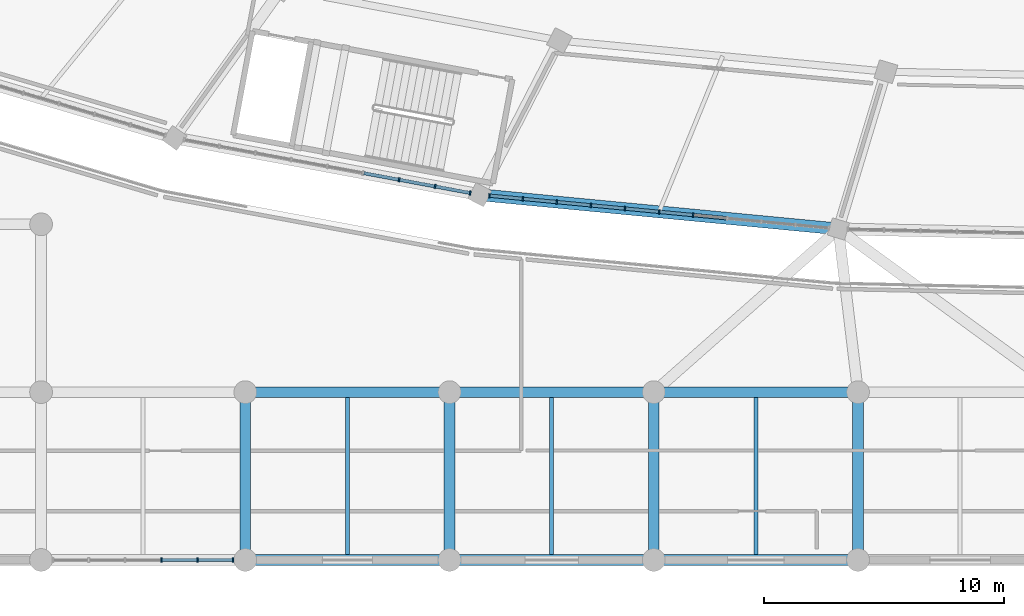
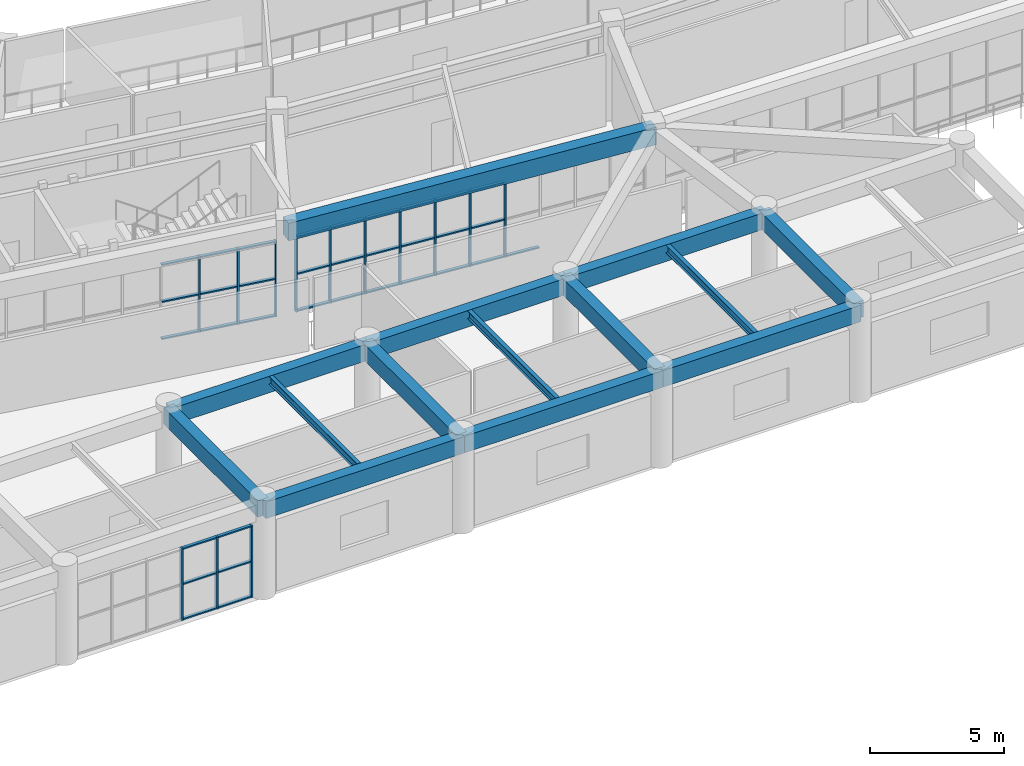
# One storey, part 21 of 141: 47 members, 14 beams, 3 elements without a shape of their own.
"""IFC4 building model written with IfcOpenShell, lengths in metres."""

from ifc_helpers import new_model, si_unit, direction, frame, origin, origin_2d, place, context, subcontext, project, spatial, rectangle, i_section, extrude, material, layer, layer_set, material_profile, profile_set, type_object, element, aggregate, save


model = new_model("IFC4")

# Units and contexts
model_context = context("Model", 3, precision=1e-05, world=origin(), true_north=direction((0.0, 1.0)))
body_context = subcontext(model_context, "Body", "Model", "MODEL_VIEW")
ifc_project = project(units=[si_unit("LENGTHUNIT", "METRE"), si_unit("AREAUNIT", "SQUARE_METRE"), si_unit("VOLUMEUNIT", "CUBIC_METRE"), si_unit("PLANEANGLEUNIT", "RADIAN"), si_unit("MASSUNIT", "GRAM", prefix="KILO")], contexts=[model_context])

# Site, building, storey
site_placement = place(None, origin())
site = spatial("IfcSite", under=ifc_project, at=site_placement, CompositionType="ELEMENT")
building_placement = place(site_placement, origin())
building = spatial("IfcBuilding", under=site, at=building_placement, Name="Mphavela Belvedere Stadium", CompositionType="ELEMENT")
storey_placement = place(building_placement, frame((0.0, 0.0, 14.699951171875)))
storey = spatial("IfcBuildingStorey", under=building, at=storey_placement, Name="L03", CompositionType="ELEMENT", Elevation=14.699951171875)

# Beams
ifc_material_1 = material(Name="Steel S355", Category="steel")
ifc_material_profile_1 = material_profile(ifc_material_1, i_section(OverallWidth=0.169921875, OverallDepth=0.360107421875, WebThickness=0.008056640625, FlangeThickness=0.0126953125, at=origin_2d()), Name="IPE 360")
ifc_profile_set_1 = profile_set([ifc_material_profile_1], Name="Steel S355")
beam_type_1 = type_object("IfcBeamType", Name="BM-JOIST-IPE360", PredefinedType="JOIST", material=ifc_profile_set_1)
for number, where, z_axis, x_axis, name in (
    (1, (72.407470703125, 0.22509765625, 4.06005859375), (0.0, 1.0, 0.0), (-1.0, 0.0, 0.0), "South Axial Triumphal Peristyle Portico secondary joist L03 9-1"),
    (2, (80.926025390625, 0.22509765625, 4.06005859375), (0.0, 1.0, 0.0), (-1.0, 0.0, 0.0), "South Axial Triumphal Peristyle Portico secondary joist L03 10-1"),
    (3, (89.444580078125, 0.22509765625, 4.06005859375), (0.0, 1.0, 0.0), (-1.0, 0.0, 0.0), "South Axial Triumphal Peristyle Portico secondary joist L03 11-1"),
):
    element("IfcBeam", number, at=place(storey_placement, frame(where, z_axis=z_axis, x_axis=x_axis)), inside=storey, type_object=beam_type_1, Name=name, PredefinedType="JOIST", context=body_context, shape_type="SweptSolid", body=[
        extrude(i_section(OverallWidth=0.169921875, OverallDepth=0.360107421875, WebThickness=0.008056640625, FlangeThickness=0.0126953125, at=origin_2d()), origin(), (0.0, 0.0, 1.0), 6.5498046875),
    ])
ifc_material_2 = material(Name="Concrete C40/50", Category="concrete")
ifc_material_profile_2 = material_profile(ifc_material_2, rectangle(XDim=0.449951171875, YDim=0.75, at=origin_2d()), Name="RC 450x750")
ifc_profile_set_2 = profile_set([ifc_material_profile_2], Name="Concrete C40/50")
beam_type_2 = type_object("IfcBeamType", Name="BM-RC450x750", PredefinedType="BEAM", material=ifc_profile_set_2)
beam_1_placement = place(storey_placement, frame((68.14794921875, 0.0, 3.864990234375), z_axis=(1.0, 0.0, 0.0), x_axis=(0.0, 1.0, 0.0)))
element("IfcBeam", 4, at=beam_1_placement, inside=storey, type_object=beam_type_2, Name="South Axial Triumphal Peristyle Portico entablature beam X L03 9-1", PredefinedType="BEAM", context=body_context, shape_type="SweptSolid", body=[
    extrude(rectangle(XDim=0.449951171875, YDim=0.75, at=origin_2d()), origin(), (0.0, 0.0, 1.0), 8.51904296875),
])
beam_2_placement = place(storey_placement, frame((68.14794921875, 0.0, 3.864990234375), z_axis=(0.0, 1.0, 0.0), x_axis=(-1.0, 0.0, 0.0)))
element("IfcBeam", 5, at=beam_2_placement, inside=storey, type_object=beam_type_2, Name="South Axial Triumphal Peristyle Portico entablature beam Y L03 9-1", PredefinedType="BEAM", context=body_context, shape_type="SweptSolid", body=[
    extrude(rectangle(XDim=0.449951171875, YDim=0.75, at=origin_2d()), origin(), (0.0, 0.0, 1.0), 7.0),
])
beam_3_placement = place(storey_placement, frame((68.14794921875, 7.0, 3.864990234375), z_axis=(1.0, 0.0, 0.0), x_axis=(0.0, 1.0, 0.0)))
element("IfcBeam", 6, at=beam_3_placement, inside=storey, type_object=beam_type_2, Name="South Axial Triumphal Peristyle Portico entablature beam X L03 9-2", PredefinedType="BEAM", context=body_context, shape_type="SweptSolid", body=[
    extrude(rectangle(XDim=0.449951171875, YDim=0.75, at=origin_2d()), origin(), (0.0, 0.0, 1.0), 8.51904296875),
])
beam_4_placement = place(storey_placement, frame((76.6669921875, 0.0, 3.864990234375), z_axis=(1.0, 0.0, 0.0), x_axis=(0.0, 1.0, 0.0)))
element("IfcBeam", 7, at=beam_4_placement, inside=storey, type_object=beam_type_2, Name="South Axial Triumphal Peristyle Portico entablature beam X L03 10-1", PredefinedType="BEAM", context=body_context, shape_type="SweptSolid", body=[
    extrude(rectangle(XDim=0.449951171875, YDim=0.75, at=origin_2d()), origin(), (0.0, 0.0, 1.0), 8.51806640625),
])
beam_5_placement = place(storey_placement, frame((76.6669921875, 0.0, 3.864990234375), z_axis=(0.0, 1.0, 0.0), x_axis=(-1.0, 0.0, 0.0)))
element("IfcBeam", 8, at=beam_5_placement, inside=storey, type_object=beam_type_2, Name="South Axial Triumphal Peristyle Portico entablature beam Y L03 10-1", PredefinedType="BEAM", context=body_context, shape_type="SweptSolid", body=[
    extrude(rectangle(XDim=0.449951171875, YDim=0.75, at=origin_2d()), origin(), (0.0, 0.0, 1.0), 7.0),
])
beam_6_placement = place(storey_placement, frame((76.6669921875, 7.0, 3.864990234375), z_axis=(1.0, 0.0, 0.0), x_axis=(0.0, 1.0, 0.0)))
element("IfcBeam", 9, at=beam_6_placement, inside=storey, type_object=beam_type_2, Name="South Axial Triumphal Peristyle Portico entablature beam X L03 10-2", PredefinedType="BEAM", context=body_context, shape_type="SweptSolid", body=[
    extrude(rectangle(XDim=0.449951171875, YDim=0.75, at=origin_2d()), origin(), (0.0, 0.0, 1.0), 8.51806640625),
])
beam_7_placement = place(storey_placement, frame((85.18505859375, 0.0, 3.864990234375), z_axis=(1.0, 0.0, 0.0), x_axis=(0.0, 1.0, 0.0)))
element("IfcBeam", 10, at=beam_7_placement, inside=storey, type_object=beam_type_2, Name="South Axial Triumphal Peristyle Portico entablature beam X L03 11-1", PredefinedType="BEAM", context=body_context, shape_type="SweptSolid", body=[
    extrude(rectangle(XDim=0.449951171875, YDim=0.75, at=origin_2d()), origin(), (0.0, 0.0, 1.0), 8.51904296875),
])
beam_8_placement = place(storey_placement, frame((85.18505859375, 0.0, 3.864990234375), z_axis=(0.0, 1.0, 0.0), x_axis=(-1.0, 0.0, 0.0)))
element("IfcBeam", 11, at=beam_8_placement, inside=storey, type_object=beam_type_2, Name="South Axial Triumphal Peristyle Portico entablature beam Y L03 11-1", PredefinedType="BEAM", context=body_context, shape_type="SweptSolid", body=[
    extrude(rectangle(XDim=0.449951171875, YDim=0.75, at=origin_2d()), origin(), (0.0, 0.0, 1.0), 7.0),
])
beam_9_placement = place(storey_placement, frame((85.18505859375, 7.0, 3.864990234375), z_axis=(1.0, 0.0, 0.0), x_axis=(0.0, 1.0, 0.0)))
element("IfcBeam", 12, at=beam_9_placement, inside=storey, type_object=beam_type_2, Name="South Axial Triumphal Peristyle Portico entablature beam X L03 11-2", PredefinedType="BEAM", context=body_context, shape_type="SweptSolid", body=[
    extrude(rectangle(XDim=0.449951171875, YDim=0.75, at=origin_2d()), origin(), (0.0, 0.0, 1.0), 8.51904296875),
])
beam_10_placement = place(storey_placement, frame((93.7041015625, 0.0, 3.864990234375), z_axis=(0.0, 1.0, 0.0), x_axis=(-1.0, 0.0, 0.0)))
element("IfcBeam", 13, at=beam_10_placement, inside=storey, type_object=beam_type_2, Name="South Axial Triumphal Peristyle Portico entablature beam Y L03 12-1", PredefinedType="BEAM", context=body_context, shape_type="SweptSolid", body=[
    extrude(rectangle(XDim=0.449951171875, YDim=0.75, at=origin_2d()), origin(), (0.0, 0.0, 1.0), 7.0),
])
ifc_material_3 = material(Name="Concrete C40/50", Category="concrete")
ifc_material_profile_3 = material_profile(ifc_material_3, rectangle(XDim=0.5, YDim=0.800048828125, at=origin_2d()), Name="RC 500x800")
ifc_profile_set_3 = profile_set([ifc_material_profile_3], Name="Concrete C40/50")
beam_type_3 = type_object("IfcBeamType", Name="BM-SPANDREL-800", PredefinedType="SPANDREL", material=ifc_profile_set_3)
beam_11_placement = place(storey_placement, frame((77.92724609375, 15.232666015625, 3.85009765625), z_axis=(0.995483415661, -0.094935605244, 0.0), x_axis=(0.094935605244, 0.995483415661, 0.0)))
element("IfcBeam", 14, at=beam_11_placement, inside=storey, type_object=beam_type_3, Name="Circumferential girder L03 R4-35", PredefinedType="SPANDREL", context=body_context, shape_type="SweptSolid", body=[
    extrude(rectangle(XDim=0.5, YDim=0.800048828125, at=origin_2d()), origin(), (0.0, 0.0, 1.0), 15.026123046875),
])

# Curtain wall, members
ifc_material_4 = material(Name="Anodised bronze unitised curtain wall framing")
ifc_layer_1 = layer(ifc_material_4, 0.195068359375)
ifc_layer_set_1 = layer_set([ifc_layer_1], Name="Anodised bronze unitised curtain wall framing")
curtain_wall_type_1 = type_object("IfcCurtainWallType", Name="CW-UNIT-04", PredefinedType="USERDEFINED", material=ifc_layer_set_1)
curtain_wall_1_placement = place(storey_placement, origin())
curtain_wall_1 = element("IfcCurtainWall", 15, at=curtain_wall_1_placement, inside=storey, type_object=curtain_wall_type_1, Name="Belvedere colonnade curtain wall L03-34", ObjectType="UNITISED CURTAIN WALL", PredefinedType="USERDEFINED")
ifc_material_5 = material(Name="Anodised bronze extruded aluminium", Category="aluminium")
ifc_material_profile_4 = material_profile(ifc_material_5, rectangle(XDim=0.179931640625, YDim=0.06494140625, at=origin_2d()), Name="CW-MUL 180x65")
ifc_profile_set_4 = profile_set([ifc_material_profile_4], Name="Anodised bronze extruded aluminium")
member_type_1 = type_object("IfcMemberType", Name="CWM-180x65", PredefinedType="MULLION", material=ifc_profile_set_4)
member_1_placement = place(storey_placement, frame((74.561767578125, 15.859375, 0.0), z_axis=(0.0, 0.0, 1.0), x_axis=(0.18308790129, 0.983096546836, 0.0)))
member_1 = element("IfcMember", 16, at=member_1_placement, type_object=member_type_1, Name="CW-04 mullion 7", PredefinedType="MULLION", context=body_context, shape_type="SweptSolid", body=[
    extrude(rectangle(XDim=0.179931640625, YDim=0.06494140625, at=origin_2d()), origin(), (0.0, 0.0, 1.0), 3.420166015625),
])
member_2_placement = place(storey_placement, frame((76.06103515625, 15.580078125, 0.0), z_axis=(0.0, 0.0, 1.0), x_axis=(0.18308790129, 0.983096546836, 0.0)))
member_2 = element("IfcMember", 17, at=member_2_placement, type_object=member_type_1, Name="CW-04 mullion 8", PredefinedType="MULLION", context=body_context, shape_type="SweptSolid", body=[
    extrude(rectangle(XDim=0.179931640625, YDim=0.06494140625, at=origin_2d()), origin(), (0.0, 0.0, 1.0), 3.420166015625),
])
member_3_placement = place(storey_placement, frame((77.528564453125, 15.306884765625, 0.0), z_axis=(0.0, 0.0, 1.0), x_axis=(0.18308790129, 0.983096546836, 0.0)))
member_3 = element("IfcMember", 18, at=member_3_placement, type_object=member_type_1, Name="CW-04 mullion 9", PredefinedType="MULLION", context=body_context, shape_type="SweptSolid", body=[
    extrude(rectangle(XDim=0.179931640625, YDim=0.06494140625, at=origin_2d()), origin(), (0.0, 0.0, 1.0), 3.420166015625),
])

ifc_material_6 = material(Name="Anodised bronze unitised curtain wall framing")
ifc_layer_2 = layer(ifc_material_6, 0.199951171875)
ifc_layer_set_2 = layer_set([ifc_layer_2], Name="Anodised bronze unitised curtain wall framing")
curtain_wall_type_2 = type_object("IfcCurtainWallType", Name="CW-UNIT-05", PredefinedType="USERDEFINED", material=ifc_layer_set_2)
curtain_wall_2_placement = place(storey_placement, origin())
curtain_wall_2 = element("IfcCurtainWall", 19, at=curtain_wall_2_placement, inside=storey, type_object=curtain_wall_type_2, Name="Belvedere colonnade curtain wall L03-35", ObjectType="UNITISED CURTAIN WALL", PredefinedType="USERDEFINED")
member_4_placement = place(storey_placement, frame((78.330810546875, 15.194091796875, 0.0), z_axis=(0.0, 0.0, 1.0), x_axis=(0.094929381996, 0.99548400913, 0.0)))
member_4 = element("IfcMember", 20, at=member_4_placement, type_object=member_type_1, Name="CW-05 mullion 1", PredefinedType="MULLION", context=body_context, shape_type="SweptSolid", body=[
    extrude(rectangle(XDim=0.179931640625, YDim=0.06494140625, at=origin_2d()), origin(), (0.0, 0.0, 1.0), 3.420166015625),
])
member_5_placement = place(storey_placement, frame((79.719970703125, 15.0615234375, 0.0), z_axis=(0.0, 0.0, 1.0), x_axis=(0.094929381996, 0.99548400913, 0.0)))
member_5 = element("IfcMember", 21, at=member_5_placement, type_object=member_type_1, Name="CW-05 mullion 2", PredefinedType="MULLION", context=body_context, shape_type="SweptSolid", body=[
    extrude(rectangle(XDim=0.179931640625, YDim=0.06494140625, at=origin_2d()), origin(), (0.0, 0.0, 1.0), 3.420166015625),
])
member_6_placement = place(storey_placement, frame((81.1416015625, 14.926025390625, 0.0), z_axis=(0.0, 0.0, 1.0), x_axis=(0.094929381996, 0.99548400913, 0.0)))
member_6 = element("IfcMember", 22, at=member_6_placement, type_object=member_type_1, Name="CW-05 mullion 3", PredefinedType="MULLION", context=body_context, shape_type="SweptSolid", body=[
    extrude(rectangle(XDim=0.179931640625, YDim=0.06494140625, at=origin_2d()), origin(), (0.0, 0.0, 1.0), 3.420166015625),
])
member_7_placement = place(storey_placement, frame((82.563232421875, 14.79052734375, 0.0), z_axis=(0.0, 0.0, 1.0), x_axis=(0.094929381996, 0.99548400913, 0.0)))
member_7 = element("IfcMember", 23, at=member_7_placement, type_object=member_type_1, Name="CW-05 mullion 4", PredefinedType="MULLION", context=body_context, shape_type="SweptSolid", body=[
    extrude(rectangle(XDim=0.179931640625, YDim=0.06494140625, at=origin_2d()), origin(), (0.0, 0.0, 1.0), 3.420166015625),
])
member_8_placement = place(storey_placement, frame((83.984619140625, 14.655029296875, 0.0), z_axis=(0.0, 0.0, 1.0), x_axis=(0.094929381996, 0.99548400913, 0.0)))
member_8 = element("IfcMember", 24, at=member_8_placement, type_object=member_type_1, Name="CW-05 mullion 5", PredefinedType="MULLION", context=body_context, shape_type="SweptSolid", body=[
    extrude(rectangle(XDim=0.179931640625, YDim=0.06494140625, at=origin_2d()), origin(), (0.0, 0.0, 1.0), 3.420166015625),
])
member_9_placement = place(storey_placement, frame((85.40625, 14.519287109375, 0.0), z_axis=(0.0, 0.0, 1.0), x_axis=(0.094929381996, 0.99548400913, 0.0)))
member_9 = element("IfcMember", 25, at=member_9_placement, type_object=member_type_1, Name="CW-05 mullion 6", PredefinedType="MULLION", context=body_context, shape_type="SweptSolid", body=[
    extrude(rectangle(XDim=0.179931640625, YDim=0.06494140625, at=origin_2d()), origin(), (0.0, 0.0, 1.0), 3.420166015625),
])
member_10_placement = place(storey_placement, frame((86.827880859375, 14.3837890625, 0.0), z_axis=(0.0, 0.0, 1.0), x_axis=(0.094929381996, 0.99548400913, 0.0)))
member_10 = element("IfcMember", 26, at=member_10_placement, type_object=member_type_1, Name="CW-05 mullion 7", PredefinedType="MULLION", context=body_context, shape_type="SweptSolid", body=[
    extrude(rectangle(XDim=0.179931640625, YDim=0.06494140625, at=origin_2d()), origin(), (0.0, 0.0, 1.0), 3.420166015625),
])

ifc_material_7 = material(Name="Anodised bronze unitised curtain wall framing")
ifc_layer_3 = layer(ifc_material_7, 0.205078125)
ifc_layer_set_3 = layer_set([ifc_layer_3], Name="Anodised bronze unitised curtain wall framing")
curtain_wall_type_3 = type_object("IfcCurtainWallType", Name="CW-UNIT-06", PredefinedType="USERDEFINED", material=ifc_layer_set_3)
curtain_wall_3_placement = place(storey_placement, origin())
curtain_wall_3 = element("IfcCurtainWall", 27, at=curtain_wall_3_placement, inside=storey, type_object=curtain_wall_type_3, Name="South Axial Triumphal Peristyle Portico gallery curtain wall L03-08", ObjectType="UNITISED CURTAIN WALL", PredefinedType="USERDEFINED")
member_11_placement = place(storey_placement, frame((67.642578125, 0.0, 0.0), z_axis=(0.0, 0.0, 1.0), x_axis=(0.0, -1.0, 0.0)))
member_11 = element("IfcMember", 28, at=member_11_placement, type_object=member_type_1, Name="CW-06 mullion 1", PredefinedType="MULLION", context=body_context, shape_type="SweptSolid", body=[
    extrude(rectangle(XDim=0.179931640625, YDim=0.06494140625, at=origin_2d()), origin(), (0.0, 0.0, 1.0), 3.260009765625),
])
member_12_placement = place(storey_placement, frame((66.16064453125, 0.0, 0.0), z_axis=(0.0, 0.0, 1.0), x_axis=(0.0, -1.0, 0.0)))
member_12 = element("IfcMember", 29, at=member_12_placement, type_object=member_type_1, Name="CW-06 mullion 2", PredefinedType="MULLION", context=body_context, shape_type="SweptSolid", body=[
    extrude(rectangle(XDim=0.179931640625, YDim=0.06494140625, at=origin_2d()), origin(), (0.0, 0.0, 1.0), 3.260009765625),
])
member_13_placement = place(storey_placement, frame((64.646240234375, 0.0, 0.0), z_axis=(0.0, 0.0, 1.0), x_axis=(0.0, -1.0, 0.0)))
member_13 = element("IfcMember", 30, at=member_13_placement, type_object=member_type_1, Name="CW-06 mullion 3", PredefinedType="MULLION", context=body_context, shape_type="SweptSolid", body=[
    extrude(rectangle(XDim=0.179931640625, YDim=0.06494140625, at=origin_2d()), origin(), (0.0, 0.0, 1.0), 3.260009765625),
])

# Member
ifc_material_8 = material(Name="Anodised bronze extruded aluminium", Category="aluminium")
ifc_material_profile_5 = material_profile(ifc_material_8, rectangle(XDim=0.139892578125, YDim=0.06005859375, at=origin_2d()), Name="CW-TRN 140x60")
ifc_profile_set_5 = profile_set([ifc_material_profile_5], Name="Anodised bronze extruded aluminium")
member_type_2 = type_object("IfcMemberType", Name="CWT-140x60", PredefinedType="USERDEFINED", material=ifc_profile_set_5)
member_14_placement = place(storey_placement, frame((73.09423828125, 16.132568359375, 0.030029296875), z_axis=(0.983098571421, -0.183077029882, 0.0), x_axis=(0.183077029882, 0.983098571421, 0.0)))
member_14 = element("IfcMember", 31, at=member_14_placement, type_object=member_type_2, Name="CW-04 transom 6.1", ObjectType="TRANSOM", PredefinedType="USERDEFINED", context=body_context, shape_type="SweptSolid", body=[
    extrude(rectangle(XDim=0.139892578125, YDim=0.06005859375, at=origin_2d()), origin(), (0.0, 0.0, 1.0), 1.460205078125),
])

member_15_placement = place(storey_placement, frame((73.09423828125, 16.132568359375, 1.7099609375), z_axis=(0.983098571421, -0.183077029882, 0.0), x_axis=(0.183077029882, 0.983098571421, 0.0)))
member_15 = element("IfcMember", 32, at=member_15_placement, type_object=member_type_2, Name="CW-04 transom 6.2", ObjectType="TRANSOM", PredefinedType="USERDEFINED", context=body_context, shape_type="SweptSolid", body=[
    extrude(rectangle(XDim=0.139892578125, YDim=0.06005859375, at=origin_2d()), origin(), (0.0, 0.0, 1.0), 1.460205078125),
])

member_16_placement = place(storey_placement, frame((73.09423828125, 16.132568359375, 3.39013671875), z_axis=(0.983098571421, -0.183077029882, 0.0), x_axis=(0.183077029882, 0.983098571421, 0.0)))
member_16 = element("IfcMember", 33, at=member_16_placement, type_object=member_type_2, Name="CW-04 transom 6.3", ObjectType="TRANSOM", PredefinedType="USERDEFINED", context=body_context, shape_type="SweptSolid", body=[
    extrude(rectangle(XDim=0.139892578125, YDim=0.06005859375, at=origin_2d()), origin(), (0.0, 0.0, 1.0), 1.460205078125),
])

member_17_placement = place(storey_placement, frame((74.59375, 15.853515625, 0.030029296875), z_axis=(0.983092966177, -0.183107126716, 0.0), x_axis=(0.183107126716, 0.983092966177, 0.0)))
member_17 = element("IfcMember", 34, at=member_17_placement, type_object=member_type_2, Name="CW-04 transom 7.1", ObjectType="TRANSOM", PredefinedType="USERDEFINED", context=body_context, shape_type="SweptSolid", body=[
    extrude(rectangle(XDim=0.139892578125, YDim=0.06005859375, at=origin_2d()), origin(), (0.0, 0.0, 1.0), 1.4599609375),
])

member_18_placement = place(storey_placement, frame((74.59375, 15.853515625, 1.7099609375), z_axis=(0.983092966177, -0.183107126716, 0.0), x_axis=(0.183107126716, 0.983092966177, 0.0)))
member_18 = element("IfcMember", 35, at=member_18_placement, type_object=member_type_2, Name="CW-04 transom 7.2", ObjectType="TRANSOM", PredefinedType="USERDEFINED", context=body_context, shape_type="SweptSolid", body=[
    extrude(rectangle(XDim=0.139892578125, YDim=0.06005859375, at=origin_2d()), origin(), (0.0, 0.0, 1.0), 1.4599609375),
])

member_19_placement = place(storey_placement, frame((74.59375, 15.853515625, 3.39013671875), z_axis=(0.983092966177, -0.183107126716, 0.0), x_axis=(0.183107126716, 0.983092966177, 0.0)))
member_19 = element("IfcMember", 36, at=member_19_placement, type_object=member_type_2, Name="CW-04 transom 7.3", ObjectType="TRANSOM", PredefinedType="USERDEFINED", context=body_context, shape_type="SweptSolid", body=[
    extrude(rectangle(XDim=0.139892578125, YDim=0.06005859375, at=origin_2d()), origin(), (0.0, 0.0, 1.0), 1.4599609375),
])

member_20_placement = place(storey_placement, frame((76.093017578125, 15.57421875, 0.030029296875), z_axis=(0.983086399659, -0.183142378507, 0.0), x_axis=(0.183142378507, 0.983086399659, 0.0)))
member_20 = element("IfcMember", 37, at=member_20_placement, type_object=member_type_2, Name="CW-04 transom 8.1", ObjectType="TRANSOM", PredefinedType="USERDEFINED", context=body_context, shape_type="SweptSolid", body=[
    extrude(rectangle(XDim=0.139892578125, YDim=0.06005859375, at=origin_2d()), origin(), (0.0, 0.0, 1.0), 1.427734375),
])

member_21_placement = place(storey_placement, frame((76.093017578125, 15.57421875, 1.7099609375), z_axis=(0.983086399659, -0.183142378507, 0.0), x_axis=(0.183142378507, 0.983086399659, 0.0)))
member_21 = element("IfcMember", 38, at=member_21_placement, type_object=member_type_2, Name="CW-04 transom 8.2", ObjectType="TRANSOM", PredefinedType="USERDEFINED", context=body_context, shape_type="SweptSolid", body=[
    extrude(rectangle(XDim=0.139892578125, YDim=0.06005859375, at=origin_2d()), origin(), (0.0, 0.0, 1.0), 1.427734375),
])

member_22_placement = place(storey_placement, frame((76.093017578125, 15.57421875, 3.39013671875), z_axis=(0.983086399659, -0.183142378507, 0.0), x_axis=(0.183142378507, 0.983086399659, 0.0)))
member_22 = element("IfcMember", 39, at=member_22_placement, type_object=member_type_2, Name="CW-04 transom 8.3", ObjectType="TRANSOM", PredefinedType="USERDEFINED", context=body_context, shape_type="SweptSolid", body=[
    extrude(rectangle(XDim=0.139892578125, YDim=0.06005859375, at=origin_2d()), origin(), (0.0, 0.0, 1.0), 1.427734375),
])

aggregate(curtain_wall_1, [member_1, member_2, member_3, member_14, member_15, member_16, member_17, member_18, member_19, member_20, member_21, member_22])

member_23_placement = place(storey_placement, frame((78.36328125, 15.19091796875, 0.030029296875), z_axis=(0.995489697702, -0.09486970944, 0.0), x_axis=(0.09486970944, 0.995489697702, 0.0)))
member_23 = element("IfcMember", 40, at=member_23_placement, type_object=member_type_2, Name="CW-05 transom 1.1", ObjectType="TRANSOM", PredefinedType="USERDEFINED", context=body_context, shape_type="SweptSolid", body=[
    extrude(rectangle(XDim=0.139892578125, YDim=0.06005859375, at=origin_2d()), origin(), (0.0, 0.0, 1.0), 1.33056640625),
])

member_24_placement = place(storey_placement, frame((78.36328125, 15.19091796875, 1.7099609375), z_axis=(0.995489697702, -0.09486970944, 0.0), x_axis=(0.09486970944, 0.995489697702, 0.0)))
member_24 = element("IfcMember", 41, at=member_24_placement, type_object=member_type_2, Name="CW-05 transom 1.2", ObjectType="TRANSOM", PredefinedType="USERDEFINED", context=body_context, shape_type="SweptSolid", body=[
    extrude(rectangle(XDim=0.139892578125, YDim=0.06005859375, at=origin_2d()), origin(), (0.0, 0.0, 1.0), 1.33056640625),
])

member_25_placement = place(storey_placement, frame((78.36328125, 15.19091796875, 3.39013671875), z_axis=(0.995489697702, -0.09486970944, 0.0), x_axis=(0.09486970944, 0.995489697702, 0.0)))
member_25 = element("IfcMember", 42, at=member_25_placement, type_object=member_type_2, Name="CW-05 transom 1.3", ObjectType="TRANSOM", PredefinedType="USERDEFINED", context=body_context, shape_type="SweptSolid", body=[
    extrude(rectangle(XDim=0.139892578125, YDim=0.06005859375, at=origin_2d()), origin(), (0.0, 0.0, 1.0), 1.33056640625),
])

member_26_placement = place(storey_placement, frame((79.75244140625, 15.05859375, 0.030029296875), z_axis=(0.995484195822, -0.094927424215, 0.0), x_axis=(0.094927424215, 0.995484195822, 0.0)))
member_26 = element("IfcMember", 43, at=member_26_placement, type_object=member_type_2, Name="CW-05 transom 2.1", ObjectType="TRANSOM", PredefinedType="USERDEFINED", context=body_context, shape_type="SweptSolid", body=[
    extrude(rectangle(XDim=0.139892578125, YDim=0.06005859375, at=origin_2d()), origin(), (0.0, 0.0, 1.0), 1.363037109375),
])

member_27_placement = place(storey_placement, frame((79.75244140625, 15.05859375, 1.7099609375), z_axis=(0.995484195822, -0.094927424215, 0.0), x_axis=(0.094927424215, 0.995484195822, 0.0)))
member_27 = element("IfcMember", 44, at=member_27_placement, type_object=member_type_2, Name="CW-05 transom 2.2", ObjectType="TRANSOM", PredefinedType="USERDEFINED", context=body_context, shape_type="SweptSolid", body=[
    extrude(rectangle(XDim=0.139892578125, YDim=0.06005859375, at=origin_2d()), origin(), (0.0, 0.0, 1.0), 1.363037109375),
])

member_28_placement = place(storey_placement, frame((79.75244140625, 15.05859375, 3.39013671875), z_axis=(0.995484195822, -0.094927424215, 0.0), x_axis=(0.094927424215, 0.995484195822, 0.0)))
member_28 = element("IfcMember", 45, at=member_28_placement, type_object=member_type_2, Name="CW-05 transom 2.3", ObjectType="TRANSOM", PredefinedType="USERDEFINED", context=body_context, shape_type="SweptSolid", body=[
    extrude(rectangle(XDim=0.139892578125, YDim=0.06005859375, at=origin_2d()), origin(), (0.0, 0.0, 1.0), 1.363037109375),
])

member_29_placement = place(storey_placement, frame((81.174072265625, 14.923095703125, 0.030029296875), z_axis=(0.995482581407, -0.094944352734, 0.0), x_axis=(0.094944352734, 0.995482581407, 0.0)))
member_29 = element("IfcMember", 46, at=member_29_placement, type_object=member_type_2, Name="CW-05 transom 3.1", ObjectType="TRANSOM", PredefinedType="USERDEFINED", context=body_context, shape_type="SweptSolid", body=[
    extrude(rectangle(XDim=0.139892578125, YDim=0.06005859375, at=origin_2d()), origin(), (0.0, 0.0, 1.0), 1.36279296875),
])

member_30_placement = place(storey_placement, frame((81.174072265625, 14.923095703125, 1.7099609375), z_axis=(0.995482581407, -0.094944352734, 0.0), x_axis=(0.094944352734, 0.995482581407, 0.0)))
member_30 = element("IfcMember", 47, at=member_30_placement, type_object=member_type_2, Name="CW-05 transom 3.2", ObjectType="TRANSOM", PredefinedType="USERDEFINED", context=body_context, shape_type="SweptSolid", body=[
    extrude(rectangle(XDim=0.139892578125, YDim=0.06005859375, at=origin_2d()), origin(), (0.0, 0.0, 1.0), 1.36279296875),
])

member_31_placement = place(storey_placement, frame((81.174072265625, 14.923095703125, 3.39013671875), z_axis=(0.995482581407, -0.094944352734, 0.0), x_axis=(0.094944352734, 0.995482581407, 0.0)))
member_31 = element("IfcMember", 48, at=member_31_placement, type_object=member_type_2, Name="CW-05 transom 3.3", ObjectType="TRANSOM", PredefinedType="USERDEFINED", context=body_context, shape_type="SweptSolid", body=[
    extrude(rectangle(XDim=0.139892578125, YDim=0.06005859375, at=origin_2d()), origin(), (0.0, 0.0, 1.0), 1.36279296875),
])

member_32_placement = place(storey_placement, frame((82.595458984375, 14.787353515625, 0.030029296875), z_axis=(0.995484195822, -0.094927424215, 0.0), x_axis=(0.094927424215, 0.995484195822, 0.0)))
member_32 = element("IfcMember", 49, at=member_32_placement, type_object=member_type_2, Name="CW-05 transom 4.1", ObjectType="TRANSOM", PredefinedType="USERDEFINED", context=body_context, shape_type="SweptSolid", body=[
    extrude(rectangle(XDim=0.139892578125, YDim=0.06005859375, at=origin_2d()), origin(), (0.0, 0.0, 1.0), 1.363037109375),
])

member_33_placement = place(storey_placement, frame((82.595458984375, 14.787353515625, 1.7099609375), z_axis=(0.995484195822, -0.094927424215, 0.0), x_axis=(0.094927424215, 0.995484195822, 0.0)))
member_33 = element("IfcMember", 50, at=member_33_placement, type_object=member_type_2, Name="CW-05 transom 4.2", ObjectType="TRANSOM", PredefinedType="USERDEFINED", context=body_context, shape_type="SweptSolid", body=[
    extrude(rectangle(XDim=0.139892578125, YDim=0.06005859375, at=origin_2d()), origin(), (0.0, 0.0, 1.0), 1.363037109375),
])

member_34_placement = place(storey_placement, frame((82.595458984375, 14.787353515625, 3.39013671875), z_axis=(0.995484195822, -0.094927424215, 0.0), x_axis=(0.094927424215, 0.995484195822, 0.0)))
member_34 = element("IfcMember", 51, at=member_34_placement, type_object=member_type_2, Name="CW-05 transom 4.3", ObjectType="TRANSOM", PredefinedType="USERDEFINED", context=body_context, shape_type="SweptSolid", body=[
    extrude(rectangle(XDim=0.139892578125, YDim=0.06005859375, at=origin_2d()), origin(), (0.0, 0.0, 1.0), 1.363037109375),
])

member_35_placement = place(storey_placement, frame((84.01708984375, 14.65185546875, 0.030029296875), z_axis=(0.995484195822, -0.094927424215, 0.0), x_axis=(0.094927424215, 0.995484195822, 0.0)))
member_35 = element("IfcMember", 52, at=member_35_placement, type_object=member_type_2, Name="CW-05 transom 5.1", ObjectType="TRANSOM", PredefinedType="USERDEFINED", context=body_context, shape_type="SweptSolid", body=[
    extrude(rectangle(XDim=0.139892578125, YDim=0.06005859375, at=origin_2d()), origin(), (0.0, 0.0, 1.0), 1.363037109375),
])

member_36_placement = place(storey_placement, frame((84.01708984375, 14.65185546875, 1.7099609375), z_axis=(0.995484195822, -0.094927424215, 0.0), x_axis=(0.094927424215, 0.995484195822, 0.0)))
member_36 = element("IfcMember", 53, at=member_36_placement, type_object=member_type_2, Name="CW-05 transom 5.2", ObjectType="TRANSOM", PredefinedType="USERDEFINED", context=body_context, shape_type="SweptSolid", body=[
    extrude(rectangle(XDim=0.139892578125, YDim=0.06005859375, at=origin_2d()), origin(), (0.0, 0.0, 1.0), 1.363037109375),
])

member_37_placement = place(storey_placement, frame((84.01708984375, 14.65185546875, 3.39013671875), z_axis=(0.995484195822, -0.094927424215, 0.0), x_axis=(0.094927424215, 0.995484195822, 0.0)))
member_37 = element("IfcMember", 54, at=member_37_placement, type_object=member_type_2, Name="CW-05 transom 5.3", ObjectType="TRANSOM", PredefinedType="USERDEFINED", context=body_context, shape_type="SweptSolid", body=[
    extrude(rectangle(XDim=0.139892578125, YDim=0.06005859375, at=origin_2d()), origin(), (0.0, 0.0, 1.0), 1.363037109375),
])

member_38_placement = place(storey_placement, frame((85.438720703125, 14.516357421875, 0.030029296875), z_axis=(0.995482581407, -0.094944352734, 0.0), x_axis=(0.094944352734, 0.995482581407, 0.0)))
member_38 = element("IfcMember", 55, at=member_38_placement, type_object=member_type_2, Name="CW-05 transom 6.1", ObjectType="TRANSOM", PredefinedType="USERDEFINED", context=body_context, shape_type="SweptSolid", body=[
    extrude(rectangle(XDim=0.139892578125, YDim=0.06005859375, at=origin_2d()), origin(), (0.0, 0.0, 1.0), 1.36279296875),
])

member_39_placement = place(storey_placement, frame((85.438720703125, 14.516357421875, 1.7099609375), z_axis=(0.995482581407, -0.094944352734, 0.0), x_axis=(0.094944352734, 0.995482581407, 0.0)))
member_39 = element("IfcMember", 56, at=member_39_placement, type_object=member_type_2, Name="CW-05 transom 6.2", ObjectType="TRANSOM", PredefinedType="USERDEFINED", context=body_context, shape_type="SweptSolid", body=[
    extrude(rectangle(XDim=0.139892578125, YDim=0.06005859375, at=origin_2d()), origin(), (0.0, 0.0, 1.0), 1.36279296875),
])

member_40_placement = place(storey_placement, frame((85.438720703125, 14.516357421875, 3.39013671875), z_axis=(0.995482581407, -0.094944352734, 0.0), x_axis=(0.094944352734, 0.995482581407, 0.0)))
member_40 = element("IfcMember", 57, at=member_40_placement, type_object=member_type_2, Name="CW-05 transom 6.3", ObjectType="TRANSOM", PredefinedType="USERDEFINED", context=body_context, shape_type="SweptSolid", body=[
    extrude(rectangle(XDim=0.139892578125, YDim=0.06005859375, at=origin_2d()), origin(), (0.0, 0.0, 1.0), 1.36279296875),
])

member_41_placement = place(storey_placement, frame((86.860107421875, 14.380859375, 0.030029296875), z_axis=(0.995484195822, -0.094927424215, 0.0), x_axis=(0.094927424215, 0.995484195822, 0.0)))
member_41 = element("IfcMember", 58, at=member_41_placement, type_object=member_type_2, Name="CW-05 transom 7.1", ObjectType="TRANSOM", PredefinedType="USERDEFINED", context=body_context, shape_type="SweptSolid", body=[
    extrude(rectangle(XDim=0.139892578125, YDim=0.06005859375, at=origin_2d()), origin(), (0.0, 0.0, 1.0), 1.363037109375),
])

aggregate(curtain_wall_2, [member_4, member_5, member_6, member_7, member_8, member_9, member_10, member_23, member_24, member_25, member_26, member_27, member_28, member_29, member_30, member_31, member_32, member_33, member_34, member_35, member_36, member_37, member_38, member_39, member_40, member_41])

member_42_placement = place(storey_placement, frame((67.610107421875, 0.0, 0.030029296875), z_axis=(-1.0, 0.0, 0.0), x_axis=(0.0, -1.0, 0.0)))
member_42 = element("IfcMember", 59, at=member_42_placement, type_object=member_type_2, Name="CW-06 transom 1.1", ObjectType="TRANSOM", PredefinedType="USERDEFINED", context=body_context, shape_type="SweptSolid", body=[
    extrude(rectangle(XDim=0.139892578125, YDim=0.06005859375, at=origin_2d()), origin(), (0.0, 0.0, 1.0), 1.4169921875),
])

member_43_placement = place(storey_placement, frame((67.610107421875, 0.0, 1.630126953125), z_axis=(-1.0, 0.0, 0.0), x_axis=(0.0, -1.0, 0.0)))
member_43 = element("IfcMember", 60, at=member_43_placement, type_object=member_type_2, Name="CW-06 transom 1.2", ObjectType="TRANSOM", PredefinedType="USERDEFINED", context=body_context, shape_type="SweptSolid", body=[
    extrude(rectangle(XDim=0.139892578125, YDim=0.06005859375, at=origin_2d()), origin(), (0.0, 0.0, 1.0), 1.4169921875),
])

member_44_placement = place(storey_placement, frame((67.610107421875, 0.0, 3.22998046875), z_axis=(-1.0, 0.0, 0.0), x_axis=(0.0, -1.0, 0.0)))
member_44 = element("IfcMember", 61, at=member_44_placement, type_object=member_type_2, Name="CW-06 transom 1.3", ObjectType="TRANSOM", PredefinedType="USERDEFINED", context=body_context, shape_type="SweptSolid", body=[
    extrude(rectangle(XDim=0.139892578125, YDim=0.06005859375, at=origin_2d()), origin(), (0.0, 0.0, 1.0), 1.4169921875),
])

member_45_placement = place(storey_placement, frame((66.128173828125, 0.0, 0.030029296875), z_axis=(-1.0, 0.0, 0.0), x_axis=(0.0, -1.0, 0.0)))
member_45 = element("IfcMember", 62, at=member_45_placement, type_object=member_type_2, Name="CW-06 transom 2.1", ObjectType="TRANSOM", PredefinedType="USERDEFINED", context=body_context, shape_type="SweptSolid", body=[
    extrude(rectangle(XDim=0.139892578125, YDim=0.06005859375, at=origin_2d()), origin(), (0.0, 0.0, 1.0), 1.449462890625),
])

member_46_placement = place(storey_placement, frame((66.128173828125, 0.0, 1.630126953125), z_axis=(-1.0, 0.0, 0.0), x_axis=(0.0, -1.0, 0.0)))
member_46 = element("IfcMember", 63, at=member_46_placement, type_object=member_type_2, Name="CW-06 transom 2.2", ObjectType="TRANSOM", PredefinedType="USERDEFINED", context=body_context, shape_type="SweptSolid", body=[
    extrude(rectangle(XDim=0.139892578125, YDim=0.06005859375, at=origin_2d()), origin(), (0.0, 0.0, 1.0), 1.449462890625),
])

member_47_placement = place(storey_placement, frame((66.128173828125, 0.0, 3.22998046875), z_axis=(-1.0, 0.0, 0.0), x_axis=(0.0, -1.0, 0.0)))
member_47 = element("IfcMember", 64, at=member_47_placement, type_object=member_type_2, Name="CW-06 transom 2.3", ObjectType="TRANSOM", PredefinedType="USERDEFINED", context=body_context, shape_type="SweptSolid", body=[
    extrude(rectangle(XDim=0.139892578125, YDim=0.06005859375, at=origin_2d()), origin(), (0.0, 0.0, 1.0), 1.449462890625),
])

aggregate(curtain_wall_3, [member_11, member_12, member_13, member_42, member_43, member_44, member_45, member_46, member_47])

save(model, "model.ifc")
